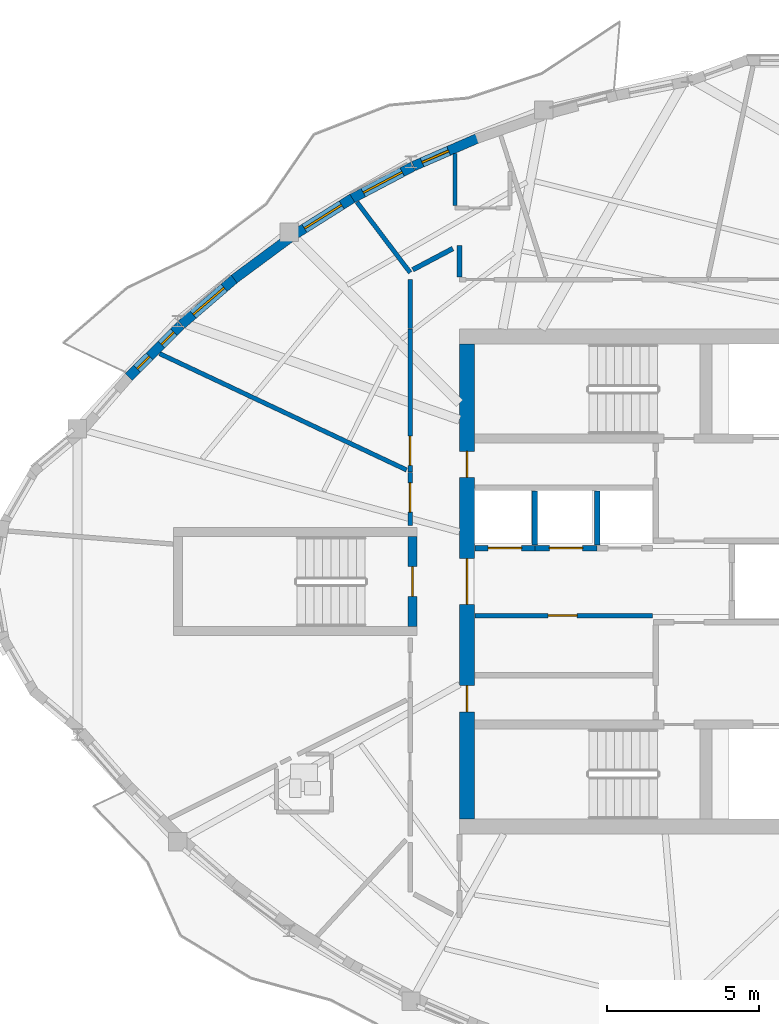
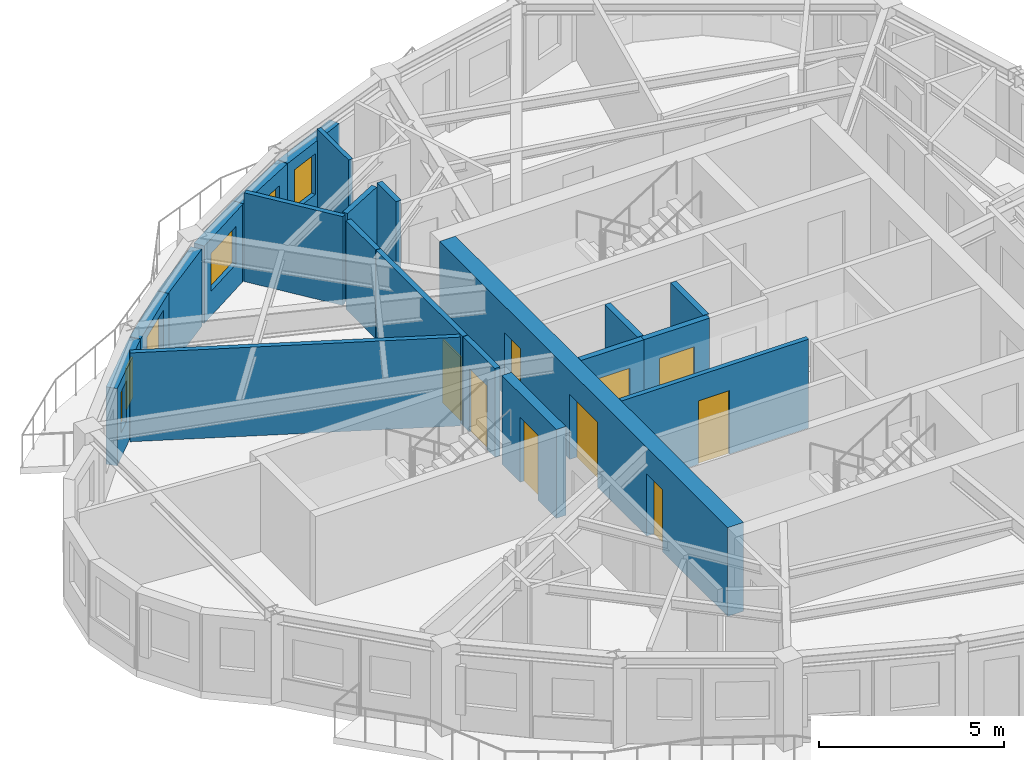
# One storey, part 5 of 12: 21 walls, 9 doors, 6 windows, 15 openings.
"""IFC4 building model written with IfcOpenShell, lengths in metres."""

from ifc_helpers import new_model, si_unit, direction, frame, frame_2d, origin, place, context, subcontext, project, spatial, rectangle, extrude, source, transform, mapped, material, layer, layer_set, type_object, element, fill, save


model = new_model("IFC4")

# Units and contexts
model_context = context("Model", 3, precision=1e-05, world=origin(), true_north=direction((0.0, 1.0)))
body_context = subcontext(model_context, "Body", "Model", "MODEL_VIEW")
ifc_project = project(units=[si_unit("LENGTHUNIT", "METRE"), si_unit("AREAUNIT", "SQUARE_METRE"), si_unit("VOLUMEUNIT", "CUBIC_METRE"), si_unit("PLANEANGLEUNIT", "RADIAN"), si_unit("MASSUNIT", "GRAM", prefix="KILO")], contexts=[model_context])

# Site, building, storey
site_placement = place(None, origin())
site = spatial("IfcSite", under=ifc_project, at=site_placement, CompositionType="ELEMENT")
building_placement = place(site_placement, origin())
building = spatial("IfcBuilding", under=site, at=building_placement, Name="Qafzar Sky-Pleat Residences", CompositionType="ELEMENT")
storey_placement = place(building_placement, frame((0.0, 0.0, 202.0)))
storey = spatial("IfcBuildingStorey", under=building, at=storey_placement, Name="L60", CompositionType="ELEMENT", Elevation=202.0)

# Wall, opening, door
ifc_material_1 = material(Name="Acoustic gypsum plasterboard partition", Category="gypsum")
ifc_layer_1 = layer(ifc_material_1, 0.159912109375)
ifc_layer_set_1 = layer_set([ifc_layer_1], Name="Acoustic gypsum plasterboard partition")
wall_type_1 = type_object("IfcWallType", Name="PART-COR-160", PredefinedType="PARTITIONING", material=ifc_layer_set_1)
wall_1_placement = place(storey_placement, frame((22.679931640625, 29.595947265625, 0.0), z_axis=(0.0, 0.0, 1.0), x_axis=(0.0, 1.0, 0.0)))
wall_1 = element("IfcWall", 1, at=wall_1_placement, inside=storey, type_object=wall_type_1, Name="L60 Partition Wall PART-L60-PW-002", PredefinedType="PARTITIONING", context=body_context, shape_type="SweptSolid", body=[
    extrude(rectangle(XDim=4.7041015625, YDim=0.159912109375, at=frame_2d((2.35205078125, 0.0))), origin(), (0.0, 0.0, 1.0), 2.93505859375),
])
opening_1_placement = place(wall_1_placement, frame((0.219970703125, 0.0, 0.0)))
opening_1 = element("IfcOpeningElement", 2, at=opening_1_placement, cuts=wall_1, Name="Opening ID-06", PredefinedType="OPENING", context=body_context, shape_type="SweptSolid", body=[
    extrude(rectangle(XDim=0.9599609375, YDim=2.10009765625, at=frame_2d((0.47998046875, 1.050048828125))), frame((0.0, 0.08984375, 0.0), z_axis=(0.0, -1.0, 0.0), x_axis=(1.0, 0.0, 0.0)), (0.0, 0.0, 1.0), 0.179931640625),
])
ifc_material_2 = material(Name="Timber-faced fire door", Category="wood")
door_type_1 = type_object("IfcDoorType", Name="DR-STD-960", OperationType="NOTDEFINED", PredefinedType="DOOR", material=ifc_material_2)
shared_shape_1 = source(origin(), body_context, "Body", "SweptSolid", [
    extrude(rectangle(XDim=0.9599609375, YDim=2.10009765625, at=frame_2d((0.47998046875, 1.050048828125))), frame((0.0, 0.02490234375, 0.0), z_axis=(0.0, -1.0, 0.0), x_axis=(1.0, 0.0, 0.0)), (0.0, 0.0, 1.0), 0.050048828125),
])
door_1_placement = place(opening_1_placement, origin())
door_1 = element("IfcDoor", 3, at=door_1_placement, inside=storey, type_object=door_type_1, Name="L60 Quiet Prayer Room Door", OperationType="SINGLE_SWING_LEFT", OverallHeight=2.10009765625, OverallWidth=0.9599609375, PredefinedType="DOOR", context=body_context, shape_type="MappedRepresentation", body=[
    mapped(shared_shape_1, transform((0.0, 0.0, 0.0), x_axis=(1.0, 0.0, 0.0), y_axis=(0.0, 1.0, 0.0), z_axis=(0.0, 0.0, 1.0), scale=1.0)),
])
fill(opening_1, door_1)

wall_2_placement = place(storey_placement, frame((22.679931640625, 27.85009765625, 0.0), z_axis=(0.0, 0.0, 1.0), x_axis=(0.0, 1.0, 0.0)))
wall_2 = element("IfcWall", 4, at=wall_2_placement, inside=storey, type_object=wall_type_1, Name="L60 Partition Wall PART-L60-PW-015", PredefinedType="PARTITIONING", context=body_context, shape_type="SweptSolid", body=[
    extrude(rectangle(XDim=1.73095703125, YDim=0.159912109375, at=frame_2d((0.865478515625, 0.0))), origin(), (0.0, 0.0, 1.0), 2.93505859375),
])
opening_2_placement = place(wall_2_placement, frame((0.430419921875, 0.0, 0.0)))
opening_2 = element("IfcOpeningElement", 5, at=opening_2_placement, cuts=wall_2, Name="Opening ID-06", PredefinedType="OPENING", context=body_context, shape_type="SweptSolid", body=[
    extrude(rectangle(XDim=0.9599609375, YDim=2.10009765625, at=frame_2d((0.47998046875, 1.050048828125))), frame((0.0, 0.08984375, 0.0), z_axis=(0.0, -1.0, 0.0), x_axis=(1.0, 0.0, 0.0)), (0.0, 0.0, 1.0), 0.179931640625),
])
door_2_placement = place(opening_2_placement, origin())
door_2 = element("IfcDoor", 6, at=door_2_placement, inside=storey, type_object=door_type_1, Name="L60 Media Screening Room Door", OperationType="SINGLE_SWING_RIGHT", OverallHeight=2.10009765625, OverallWidth=0.9599609375, PredefinedType="DOOR", context=body_context, shape_type="MappedRepresentation", body=[
    mapped(shared_shape_1, transform((0.0, 0.0, 0.0), x_axis=(1.0, 0.0, 0.0), y_axis=(0.0, 1.0, 0.0), z_axis=(0.0, 0.0, 1.0), scale=1.0)),
])
fill(opening_2, door_2)

# Walls
wall_3_placement = place(storey_placement, frame((22.679931640625, 34.31494140625, 0.0), z_axis=(0.0, 0.0, 1.0), x_axis=(0.0, 1.0, 0.0)))
element("IfcWall", 7, at=wall_3_placement, inside=storey, type_object=wall_type_1, Name="L60 Partition Wall PART-L60-PW-038", PredefinedType="PARTITIONING", context=body_context, shape_type="SweptSolid", body=[
    extrude(rectangle(XDim=1.60498046875, YDim=0.159912109375, at=frame_2d((0.802490234375, 0.0))), origin(), (0.0, 0.0, 1.0), 2.93505859375),
])
wall_4_placement = place(storey_placement, frame((22.763671875, 36.248046875, 0.0), z_axis=(0.0, 0.0, 1.0), x_axis=(0.884318813942, 0.466883535059, 0.0)))
element("IfcWall", 8, at=wall_4_placement, inside=storey, type_object=wall_type_1, Name="L60 Partition Wall PART-L60-PW-041", PredefinedType="PARTITIONING", context=body_context, shape_type="SweptSolid", body=[
    extrude(rectangle(XDim=1.486083984375, YDim=0.159912109375, at=frame_2d((0.7431640625, 0.0))), origin(), (0.0, 0.0, 1.0), 2.93505859375),
])
wall_5_placement = place(storey_placement, frame((24.300048828125, 36.008056640625, 0.0), z_axis=(0.0, 0.0, 1.0), x_axis=(0.0, 1.0, 0.0)))
element("IfcWall", 9, at=wall_5_placement, inside=storey, type_object=wall_type_1, Name="L60 Partition Wall PART-L60-PW-047", PredefinedType="PARTITIONING", context=body_context, shape_type="SweptSolid", body=[
    extrude(rectangle(XDim=1.031005859375, YDim=0.159912109375, at=frame_2d((0.515625, 0.0))), origin(), (0.0, 0.0, 1.0), 2.93505859375),
])

# Wall, opening, door
ifc_material_3 = material(Name="Concrete blockwork partition", Category="masonry")
ifc_layer_2 = layer(ifc_material_3, 0.179931640625)
ifc_layer_set_2 = layer_set([ifc_layer_2], Name="Concrete blockwork partition")
wall_type_2 = type_object("IfcWallType", Name="PART-SHAFT-180", PredefinedType="PARTITIONING", material=ifc_layer_set_2)
wall_6_placement = place(storey_placement, frame((24.81005859375, 27.10009765625, 0.0), z_axis=(0.0, 0.0, 1.0), x_axis=(1.0, 0.0, 0.0)))
wall_6 = element("IfcWall", 10, at=wall_6_placement, inside=storey, type_object=wall_type_2, Name="L60 Partition Wall PART-L60-P4-S", PredefinedType="PARTITIONING", context=body_context, shape_type="SweptSolid", body=[
    extrude(rectangle(XDim=1.96484375, YDim=0.179931640625, at=frame_2d((0.982421875, 0.0))), origin(), (0.0, 0.0, 1.0), 2.93505859375),
])
opening_3_placement = place(wall_6_placement, frame((0.4326171875, 0.0, 0.0)))
opening_3 = element("IfcOpeningElement", 11, at=opening_3_placement, cuts=wall_6, Name="Opening LD-01", PredefinedType="OPENING", context=body_context, shape_type="SweptSolid", body=[
    extrude(rectangle(XDim=1.10009765625, YDim=2.14990234375, at=frame_2d((0.550048828125, 1.074951171875))), frame((0.0, 0.10009765625, 0.0), z_axis=(0.0, -1.0, 0.0), x_axis=(1.0, 0.0, 0.0)), (0.0, 0.0, 1.0), 0.199951171875),
])
ifc_material_4 = material(Name="Stainless steel sliding landing door", Category="steel")
door_type_2 = type_object("IfcDoorType", Name="DR-LIFT-P", OperationType="DOUBLE_DOOR_SLIDING", PredefinedType="DOOR", material=ifc_material_4)
shared_shape_2 = source(origin(), body_context, "Body", "SweptSolid", [
    extrude(rectangle(XDim=1.10009765625, YDim=2.14990234375, at=frame_2d((0.550048828125, 1.074951171875))), frame((0.0, 0.02490234375, 0.0), z_axis=(0.0, -1.0, 0.0), x_axis=(1.0, 0.0, 0.0)), (0.0, 0.0, 1.0), 0.050048828125),
])
door_3_placement = place(opening_3_placement, origin())
door_3 = element("IfcDoor", 12, at=door_3_placement, inside=storey, type_object=door_type_2, Name="L60 Passenger Lift P4 Landing Door", OperationType="DOUBLE_DOOR_SLIDING", OverallHeight=2.14990234375, OverallWidth=1.10009765625, PredefinedType="DOOR", context=body_context, shape_type="MappedRepresentation", body=[
    mapped(shared_shape_2, transform((0.0, 0.0, 0.0), x_axis=(1.0, 0.0, 0.0), y_axis=(0.0, 1.0, 0.0), z_axis=(0.0, 0.0, 1.0), scale=1.0)),
])
fill(opening_3, door_3)

wall_7_placement = place(storey_placement, frame((26.77490234375, 27.10009765625, 0.0), z_axis=(0.0, 0.0, 1.0), x_axis=(1.0, 0.0, 0.0)))
wall_7 = element("IfcWall", 13, at=wall_7_placement, inside=storey, type_object=wall_type_2, Name="L60 Partition Wall PART-L60-P5-S", PredefinedType="PARTITIONING", context=body_context, shape_type="SweptSolid", body=[
    extrude(rectangle(XDim=2.050048828125, YDim=0.179931640625, at=frame_2d((1.02490234375, 0.0))), origin(), (0.0, 0.0, 1.0), 2.93505859375),
])
opening_4_placement = place(wall_7_placement, frame((0.47509765625, 0.0, 0.0)))
opening_4 = element("IfcOpeningElement", 14, at=opening_4_placement, cuts=wall_7, Name="Opening LD-01", PredefinedType="OPENING", context=body_context, shape_type="SweptSolid", body=[
    extrude(rectangle(XDim=1.10009765625, YDim=2.14990234375, at=frame_2d((0.550048828125, 1.074951171875))), frame((0.0, 0.10009765625, 0.0), z_axis=(0.0, -1.0, 0.0), x_axis=(1.0, 0.0, 0.0)), (0.0, 0.0, 1.0), 0.199951171875),
])
door_4_placement = place(opening_4_placement, origin())
door_4 = element("IfcDoor", 15, at=door_4_placement, inside=storey, type_object=door_type_2, Name="L60 Passenger Lift P5 Landing Door", OperationType="DOUBLE_DOOR_SLIDING", OverallHeight=2.14990234375, OverallWidth=1.10009765625, PredefinedType="DOOR", context=body_context, shape_type="MappedRepresentation", body=[
    mapped(shared_shape_2, transform((0.0, 0.0, 0.0), x_axis=(1.0, 0.0, 0.0), y_axis=(0.0, 1.0, 0.0), z_axis=(0.0, 0.0, 1.0), scale=1.0)),
])
fill(opening_4, door_4)

# Walls
for number, where, z_axis, x_axis, name in (
    (16, (26.77490234375, 27.199951171875, 0.0), (0.0, 0.0, 1.0), (0.0, 1.0, 0.0), "L60 Partition Wall PART-L60-P46-DIV-1"),
    (17, (28.824951171875, 27.199951171875, 0.0), (0.0, 0.0, 1.0), (0.0, 1.0, 0.0), "L60 Partition Wall PART-L60-P46-DIV-2"),
):
    element("IfcWall", number, at=place(storey_placement, frame(where, z_axis=z_axis, x_axis=x_axis)), inside=storey, type_object=wall_type_2, Name=name, PredefinedType="PARTITIONING", context=body_context, shape_type="SweptSolid", body=[
        extrude(rectangle(XDim=1.780029296875, YDim=0.179931640625, at=frame_2d((0.89013671875, 0.0))), origin(), (0.0, 0.0, 1.0), 2.93505859375),
    ])

# Wall, opening, door
ifc_layer_3 = layer(ifc_material_1, 0.14501953125)
ifc_layer_set_3 = layer_set([ifc_layer_3], Name="Acoustic gypsum plasterboard partition")
wall_type_3 = type_object("IfcWallType", Name="PART-UNIT-145", PredefinedType="PARTITIONING", material=ifc_layer_set_3)
wall_8_placement = place(storey_placement, frame((24.81005859375, 24.8798828125, 0.0), z_axis=(0.0, 0.0, 1.0), x_axis=(1.0, 0.0, 0.0)))
wall_8 = element("IfcWall", 18, at=wall_8_placement, inside=storey, type_object=wall_type_3, Name="L60 Partition Wall PART-L60-RECLAIM-N", PredefinedType="PARTITIONING", context=body_context, shape_type="SweptSolid", body=[
    extrude(rectangle(XDim=5.83984375, YDim=0.14501953125, at=frame_2d((2.919921875, 0.0))), origin(), (0.0, 0.0, 1.0), 2.93505859375),
])
opening_5_placement = place(wall_8_placement, frame((2.39990234375, 0.0, 0.0)))
opening_5 = element("IfcOpeningElement", 19, at=opening_5_placement, cuts=wall_8, Name="Opening ID-06", PredefinedType="OPENING", context=body_context, shape_type="SweptSolid", body=[
    extrude(rectangle(XDim=0.9599609375, YDim=2.10009765625, at=frame_2d((0.47998046875, 1.050048828125))), frame((0.0, 0.08251953125, 0.0), z_axis=(0.0, -1.0, 0.0), x_axis=(1.0, 0.0, 0.0)), (0.0, 0.0, 1.0), 0.1650390625),
])
door_5_placement = place(opening_5_placement, origin())
door_5 = element("IfcDoor", 20, at=door_5_placement, inside=storey, type_object=door_type_1, Name="L60 Reclaimed Resident Laundry Room Door", OperationType="SINGLE_SWING_LEFT", OverallHeight=2.10009765625, OverallWidth=0.9599609375, PredefinedType="DOOR", context=body_context, shape_type="MappedRepresentation", body=[
    mapped(shared_shape_1, transform((0.0, 0.0, 0.0), x_axis=(1.0, 0.0, 0.0), y_axis=(0.0, 1.0, 0.0), z_axis=(0.0, 0.0, 1.0), scale=1.0)),
])
fill(opening_5, door_5)

# Walls
wall_9_placement = place(storey_placement, frame((14.4453125, 33.490478515625, 0.0), z_axis=(0.0, 0.0, 1.0), x_axis=(0.904673727325, -0.426104971912, 0.0)))
element("IfcWall", 21, at=wall_9_placement, inside=storey, type_object=wall_type_3, Name="L60 Partition Wall PART-L60-PW-017", PredefinedType="PARTITIONING", context=body_context, shape_type="SweptSolid", body=[
    extrude(rectangle(XDim=8.971923828125, YDim=0.14501953125, at=frame_2d((4.48583984375, 0.0))), origin(), (0.0, 0.0, 1.0), 2.93505859375),
])
wall_10_placement = place(storey_placement, frame((20.928955078125, 38.469482421875, 0.0), z_axis=(0.0, 0.0, 1.0), x_axis=(0.602847358209, -0.797856542682, 0.0)))
element("IfcWall", 22, at=wall_10_placement, inside=storey, type_object=wall_type_3, Name="L60 Partition Wall PART-L60-PW-029", PredefinedType="PARTITIONING", context=body_context, shape_type="SweptSolid", body=[
    extrude(rectangle(XDim=2.904541015625, YDim=0.14501953125, at=frame_2d((1.4521484375, 0.0))), origin(), (0.0, 0.0, 1.0), 2.93505859375),
])
ifc_material_5 = material(Name="Moisture-resistant gypsum partition", Category="gypsum")
ifc_layer_4 = layer(ifc_material_5, 0.1298828125)
ifc_layer_set_4 = layer_set([ifc_layer_4], Name="Moisture-resistant gypsum partition")
wall_type_4 = type_object("IfcWallType", Name="PART-WET-130", PredefinedType="PARTITIONING", material=ifc_layer_set_4)
wall_11_placement = place(storey_placement, frame((24.154052734375, 38.35498046875, 0.0), z_axis=(0.0, 0.0, 1.0), x_axis=(0.0, 1.0, 0.0)))
element("IfcWall", 23, at=wall_11_placement, inside=storey, type_object=wall_type_4, Name="L60 Partition Wall PART-L60-PW-031", PredefinedType="PARTITIONING", context=body_context, shape_type="SweptSolid", body=[
    extrude(rectangle(XDim=1.705078125, YDim=0.1298828125, at=frame_2d((0.8525390625, 0.0))), origin(), (0.0, 0.0, 1.0), 2.93505859375),
])

# Wall, opening, window
ifc_material_6 = material(Name="Precast concrete C40/50 with honed Riyadh limestone", Category="concrete")
ifc_layer_5 = layer(ifc_material_6, 0.320068359375)
ifc_layer_set_5 = layer_set([ifc_layer_5], Name="Precast concrete C40/50 with honed Riyadh limestone")
wall_type_5 = type_object("IfcWallType", Name="WALL-EXT-320", PredefinedType="SOLIDWALL", material=ifc_layer_set_5)
wall_12_placement = place(storey_placement, frame((24.943359375, 40.589599609375, 0.0), z_axis=(0.0, 0.0, 1.0), x_axis=(-0.917071710038, -0.398722307688, 0.0)))
wall_12 = element("IfcWall", 24, at=wall_12_placement, inside=storey, type_object=wall_type_5, Name="L60 Limestone Facade Wall 42", PredefinedType="SOLIDWALL", context=body_context, shape_type="SweptSolid", body=[
    extrude(rectangle(XDim=2.346923828125, YDim=0.320068359375, at=frame_2d((1.17333984375, 0.0))), origin(), (0.0, 0.0, 1.0), 2.554931640625),
])
opening_6_placement = place(wall_12_placement, frame((1.09130859375, 0.0, 0.820068359375)))
opening_6 = element("IfcOpeningElement", 25, at=opening_6_placement, cuts=wall_12, Name="Opening WN-12", PredefinedType="OPENING", context=body_context, shape_type="SweptSolid", body=[
    extrude(rectangle(XDim=0.949951171875, YDim=1.35009765625, at=frame_2d((0.47509765625, 0.675048828125))), frame((0.0, 0.169921875, 0.0), z_axis=(0.0, -1.0, 0.0), x_axis=(1.0, 0.0, 0.0)), (0.0, 0.0, 1.0), 0.340087890625),
])
ifc_material_7 = material(Name="Solar-control low-E glass in bronze aluminium frame", Category="glass")
window_type_1 = type_object("IfcWindowType", Name="WIN-12", PartitioningType="SINGLE_PANEL", PredefinedType="WINDOW", material=ifc_material_7)
shared_shape_3 = source(origin(), body_context, "Body", "SweptSolid", [
    extrude(rectangle(XDim=0.949951171875, YDim=1.35009765625, at=frame_2d((0.47509765625, 0.675048828125))), frame((0.0, 0.030029296875, 0.0), z_axis=(0.0, -1.0, 0.0), x_axis=(1.0, 0.0, 0.0)), (0.0, 0.0, 1.0), 0.06005859375),
])
window_1_placement = place(opening_6_placement, origin())
window_1 = element("IfcWindow", 26, at=window_1_placement, inside=storey, type_object=window_type_1, Name="L60 Punched Facade Window 42-2", OverallHeight=1.35009765625, OverallWidth=0.949951171875, PartitioningType="SINGLE_PANEL", PredefinedType="WINDOW", context=body_context, shape_type="MappedRepresentation", body=[
    mapped(shared_shape_3, transform((0.0, 0.0, 0.0), x_axis=(1.0, 0.0, 0.0), y_axis=(0.0, 1.0, 0.0), z_axis=(0.0, 0.0, 1.0), scale=1.0)),
])
fill(opening_6, window_1)

wall_13_placement = place(storey_placement, frame((22.765869140625, 39.641845703125, 0.0), z_axis=(0.0, 0.0, 1.0), x_axis=(-0.884377555637, -0.466772256122, 0.0)))
wall_13 = element("IfcWall", 27, at=wall_13_placement, inside=storey, type_object=wall_type_5, Name="L60 Limestone Facade Wall 43", PredefinedType="SOLIDWALL", context=body_context, shape_type="SweptSolid", body=[
    extrude(rectangle(XDim=2.333740234375, YDim=0.320068359375, at=frame_2d((1.1669921875, 0.0))), origin(), (0.0, 0.0, 1.0), 2.554931640625),
])
opening_7_placement = place(wall_13_placement, frame((0.393310546875, 0.0, 0.820068359375)))
opening_7 = element("IfcOpeningElement", 28, at=opening_7_placement, cuts=wall_13, Name="Opening WN-15", PredefinedType="OPENING", context=body_context, shape_type="SweptSolid", body=[
    extrude(rectangle(XDim=1.449951171875, YDim=1.25, at=frame_2d((0.72509765625, 0.625))), frame((0.0, 0.169921875, 0.0), z_axis=(0.0, -1.0, 0.0), x_axis=(1.0, 0.0, 0.0)), (0.0, 0.0, 1.0), 0.340087890625),
])
window_type_2 = type_object("IfcWindowType", Name="WIN-15", PartitioningType="SINGLE_PANEL", PredefinedType="WINDOW", material=ifc_material_7)
shared_shape_4 = source(origin(), body_context, "Body", "SweptSolid", [
    extrude(rectangle(XDim=1.449951171875, YDim=1.25, at=frame_2d((0.72509765625, 0.625))), frame((0.0, 0.030029296875, 0.0), z_axis=(0.0, -1.0, 0.0), x_axis=(1.0, 0.0, 0.0)), (0.0, 0.0, 1.0), 0.06005859375),
])
window_2_placement = place(opening_7_placement, origin())
window_2 = element("IfcWindow", 29, at=window_2_placement, inside=storey, type_object=window_type_2, Name="L60 Punched Facade Window 43", OverallHeight=1.25, OverallWidth=1.449951171875, PartitioningType="SINGLE_PANEL", PredefinedType="WINDOW", context=body_context, shape_type="MappedRepresentation", body=[
    mapped(shared_shape_4, transform((0.0, 0.0, 0.0), x_axis=(1.0, 0.0, 0.0), y_axis=(0.0, 1.0, 0.0), z_axis=(0.0, 0.0, 1.0), scale=1.0)),
])
fill(opening_7, window_2)

wall_14_placement = place(storey_placement, frame((20.7783203125, 38.5966796875, 0.0), z_axis=(0.0, 0.0, 1.0), x_axis=(-0.84639489148, -0.532555807101, 0.0)))
wall_14 = element("IfcWall", 30, at=wall_14_placement, inside=storey, type_object=wall_type_5, Name="L60 Limestone Facade Wall 44", PredefinedType="SOLIDWALL", context=body_context, shape_type="SweptSolid", body=[
    extrude(rectangle(XDim=2.263671875, YDim=0.320068359375, at=frame_2d((1.1318359375, 0.0))), origin(), (0.0, 0.0, 1.0), 2.554931640625),
])
opening_8_placement = place(wall_14_placement, frame((0.411865234375, 0.0, 0.820068359375)))
opening_8 = element("IfcOpeningElement", 31, at=opening_8_placement, cuts=wall_14, Name="Opening WN-15", PredefinedType="OPENING", context=body_context, shape_type="SweptSolid", body=[
    extrude(rectangle(XDim=1.449951171875, YDim=1.25, at=frame_2d((0.72509765625, 0.625))), frame((0.0, 0.169921875, 0.0), z_axis=(0.0, -1.0, 0.0), x_axis=(1.0, 0.0, 0.0)), (0.0, 0.0, 1.0), 0.340087890625),
])
window_3_placement = place(opening_8_placement, origin())
window_3 = element("IfcWindow", 32, at=window_3_placement, inside=storey, type_object=window_type_2, Name="L60 Punched Facade Window 44", OverallHeight=1.25, OverallWidth=1.449951171875, PartitioningType="SINGLE_PANEL", PredefinedType="WINDOW", context=body_context, shape_type="MappedRepresentation", body=[
    mapped(shared_shape_4, transform((0.0, 0.0, 0.0), x_axis=(1.0, 0.0, 0.0), y_axis=(0.0, 1.0, 0.0), z_axis=(0.0, 0.0, 1.0), scale=1.0)),
])
fill(opening_8, window_3)

# Wall
wall_15_placement = place(storey_placement, frame((18.7236328125, 37.29638671875, 0.0), z_axis=(0.0, 0.0, 1.0), x_axis=(-0.803830620004, -0.59485824727, 0.0)))
element("IfcWall", 33, at=wall_15_placement, inside=storey, type_object=wall_type_5, Name="L60 Limestone Facade Wall 45", PredefinedType="SOLIDWALL", context=body_context, shape_type="SweptSolid", body=[
    extrude(rectangle(XDim=2.277099609375, YDim=0.320068359375, at=frame_2d((1.138671875, 0.0))), origin(), (0.0, 0.0, 1.0), 2.554931640625),
])

# Wall, opening, window
wall_16_placement = place(storey_placement, frame((16.9619140625, 35.996826171875, 0.0), z_axis=(0.0, 0.0, 1.0), x_axis=(-0.757474860475, -0.652864331808, 0.0)))
wall_16 = element("IfcWall", 34, at=wall_16_placement, inside=storey, type_object=wall_type_5, Name="L60 Limestone Facade Wall 46", PredefinedType="SOLIDWALL", context=body_context, shape_type="SweptSolid", body=[
    extrude(rectangle(XDim=2.37353515625, YDim=0.320068359375, at=frame_2d((1.186767578125, 0.0))), origin(), (0.0, 0.0, 1.0), 2.554931640625),
])
opening_9_placement = place(wall_16_placement, frame((0.521728515625, 0.0, 0.820068359375)))
opening_9 = element("IfcOpeningElement", 35, at=opening_9_placement, cuts=wall_16, Name="Opening WN-04", PredefinedType="OPENING", context=body_context, shape_type="SweptSolid", body=[
    extrude(rectangle(XDim=1.35009765625, YDim=1.449951171875, at=frame_2d((0.675048828125, 0.72509765625))), frame((0.0, 0.169921875, 0.0), z_axis=(0.0, -1.0, 0.0), x_axis=(1.0, 0.0, 0.0)), (0.0, 0.0, 1.0), 0.340087890625),
])
window_type_3 = type_object("IfcWindowType", Name="WIN-04", PartitioningType="SINGLE_PANEL", PredefinedType="WINDOW", material=ifc_material_7)
shared_shape_5 = source(origin(), body_context, "Body", "SweptSolid", [
    extrude(rectangle(XDim=1.35009765625, YDim=1.449951171875, at=frame_2d((0.675048828125, 0.72509765625))), frame((0.0, 0.030029296875, 0.0), z_axis=(0.0, -1.0, 0.0), x_axis=(1.0, 0.0, 0.0)), (0.0, 0.0, 1.0), 0.06005859375),
])
window_4_placement = place(opening_9_placement, origin())
window_4 = element("IfcWindow", 36, at=window_4_placement, inside=storey, type_object=window_type_3, Name="L60 Punched Facade Window 46", OverallHeight=1.449951171875, OverallWidth=1.35009765625, PartitioningType="SINGLE_PANEL", PredefinedType="WINDOW", context=body_context, shape_type="MappedRepresentation", body=[
    mapped(shared_shape_5, transform((0.0, 0.0, 0.0), x_axis=(1.0, 0.0, 0.0), y_axis=(0.0, 1.0, 0.0), z_axis=(0.0, 0.0, 1.0), scale=1.0)),
])
fill(opening_9, window_4)

# Wall, openings, windows
wall_17_placement = place(storey_placement, frame((15.143310546875, 34.427978515625, 0.0), z_axis=(0.0, 0.0, 1.0), x_axis=(-0.708370597245, -0.705840702255, 0.0)))
wall_17 = element("IfcWall", 37, at=wall_17_placement, inside=storey, type_object=wall_type_5, Name="L60 Limestone Facade Wall 47", PredefinedType="SOLIDWALL", context=body_context, shape_type="SweptSolid", body=[
    extrude(rectangle(XDim=2.41259765625, YDim=0.320068359375, at=frame_2d((1.206298828125, 0.0))), origin(), (0.0, 0.0, 1.0), 2.554931640625),
])
opening_10_placement = place(wall_17_placement, frame((0.322021484375, 0.0, 0.820068359375)))
opening_10 = element("IfcOpeningElement", 38, at=opening_10_placement, cuts=wall_17, Name="Opening WN-17", PredefinedType="OPENING", context=body_context, shape_type="SweptSolid", body=[
    extrude(rectangle(XDim=0.580078125, YDim=1.35009765625, at=frame_2d((0.2900390625, 0.675048828125))), frame((0.0, 0.169921875, 0.0), z_axis=(0.0, -1.0, 0.0), x_axis=(1.0, 0.0, 0.0)), (0.0, 0.0, 1.0), 0.340087890625),
])
opening_11_placement = place(wall_17_placement, frame((1.458251953125, 0.0, 0.820068359375)))
opening_11 = element("IfcOpeningElement", 39, at=opening_11_placement, cuts=wall_17, Name="Opening WN-17", PredefinedType="OPENING", context=body_context, shape_type="SweptSolid", body=[
    extrude(rectangle(XDim=0.580078125, YDim=1.35009765625, at=frame_2d((0.2900390625, 0.675048828125))), frame((0.0, 0.169921875, 0.0), z_axis=(0.0, -1.0, 0.0), x_axis=(1.0, 0.0, 0.0)), (0.0, 0.0, 1.0), 0.340087890625),
])
window_type_4 = type_object("IfcWindowType", Name="WIN-17", PartitioningType="SINGLE_PANEL", PredefinedType="WINDOW", material=ifc_material_7)
shared_shape_6 = source(origin(), body_context, "Body", "SweptSolid", [
    extrude(rectangle(XDim=0.580078125, YDim=1.35009765625, at=frame_2d((0.2900390625, 0.675048828125))), frame((0.0, 0.030029296875, 0.0), z_axis=(0.0, -1.0, 0.0), x_axis=(1.0, 0.0, 0.0)), (0.0, 0.0, 1.0), 0.06005859375),
])
window_5_placement = place(opening_10_placement, origin())
window_5 = element("IfcWindow", 40, at=window_5_placement, inside=storey, type_object=window_type_4, Name="L60 Punched Facade Window 47", OverallHeight=1.35009765625, OverallWidth=0.580078125, PartitioningType="SINGLE_PANEL", PredefinedType="WINDOW", context=body_context, shape_type="MappedRepresentation", body=[
    mapped(shared_shape_6, transform((0.0, 0.0, 0.0), x_axis=(1.0, 0.0, 0.0), y_axis=(0.0, 1.0, 0.0), z_axis=(0.0, 0.0, 1.0), scale=1.0)),
])
fill(opening_10, window_5)
window_6_placement = place(opening_11_placement, origin())
window_6 = element("IfcWindow", 41, at=window_6_placement, inside=storey, type_object=window_type_4, Name="L60 Punched Facade Window 47-2", OverallHeight=1.35009765625, OverallWidth=0.580078125, PartitioningType="SINGLE_PANEL", PredefinedType="WINDOW", context=body_context, shape_type="MappedRepresentation", body=[
    mapped(shared_shape_6, transform((0.0, 0.0, 0.0), x_axis=(1.0, 0.0, 0.0), y_axis=(0.0, 1.0, 0.0), z_axis=(0.0, 0.0, 1.0), scale=1.0)),
])
fill(opening_11, window_6)

# Wall, opening, door
ifc_material_8 = material(Name="Concrete C60/75", Category="concrete")
ifc_layer_6 = layer(ifc_material_8, 0.300048828125)
ifc_layer_set_6 = layer_set([ifc_layer_6], Name="Concrete C60/75")
wall_type_6 = type_object("IfcWallType", Name="WALL-SHEAR-300", PredefinedType="SHEAR", material=ifc_layer_set_6)
wall_18_placement = place(storey_placement, frame((22.75, 24.52490234375, 0.0), z_axis=(0.0, 0.0, 1.0), x_axis=(0.0, 1.0, 0.0)))
wall_18 = element("IfcWall", 42, at=wall_18_placement, inside=storey, type_object=wall_type_6, Name="L60 ST3 wall E", PredefinedType="SHEAR", context=body_context, shape_type="SweptSolid", body=[
    extrude(rectangle(XDim=2.9501953125, YDim=0.300048828125, at=frame_2d((1.47509765625, 0.0))), origin(), (0.0, 0.0, 1.0), 2.93505859375),
])
opening_12_placement = place(wall_18_placement, frame((0.985107421875, 0.0, 0.0)))
opening_12 = element("IfcOpeningElement", 43, at=opening_12_placement, cuts=wall_18, Name="Opening ID-01", PredefinedType="OPENING", context=body_context, shape_type="SweptSolid", body=[
    extrude(rectangle(XDim=0.97998046875, YDim=2.14990234375, at=frame_2d((0.489990234375, 1.074951171875))), frame((0.0, 0.16015625, 0.0), z_axis=(0.0, -1.0, 0.0), x_axis=(1.0, 0.0, 0.0)), (0.0, 0.0, 1.0), 0.320068359375),
])
door_type_3 = type_object("IfcDoorType", Name="DR-STAIR-980", OperationType="NOTDEFINED", PredefinedType="DOOR", material=ifc_material_2)
shared_shape_7 = source(origin(), body_context, "Body", "SweptSolid", [
    extrude(rectangle(XDim=0.97998046875, YDim=2.14990234375, at=frame_2d((0.489990234375, 1.074951171875))), frame((0.0, 0.02490234375, 0.0), z_axis=(0.0, -1.0, 0.0), x_axis=(1.0, 0.0, 0.0)), (0.0, 0.0, 1.0), 0.050048828125),
])
door_6_placement = place(opening_12_placement, origin())
door_6 = element("IfcDoor", 44, at=door_6_placement, inside=storey, type_object=door_type_3, Name="L60 Stair ST3 Fire Door", OperationType="SINGLE_SWING_RIGHT", OverallHeight=2.14990234375, OverallWidth=0.97998046875, PredefinedType="DOOR", context=body_context, shape_type="MappedRepresentation", body=[
    mapped(shared_shape_7, transform((0.0, 0.0, 0.0), x_axis=(1.0, 0.0, 0.0), y_axis=(0.0, 1.0, 0.0), z_axis=(0.0, 0.0, 1.0), scale=1.0)),
])
fill(opening_12, door_6)

# Wall, openings, doors
ifc_layer_7 = layer(ifc_material_8, 0.5)
ifc_layer_set_7 = layer_set([ifc_layer_7], Name="Concrete C60/75")
wall_type_7 = type_object("IfcWallType", Name="WALL-SHEAR-500", PredefinedType="SHEAR", material=ifc_layer_set_7)
wall_19_placement = place(storey_placement, frame((24.550048828125, 33.800048828125, 0.0), z_axis=(0.0, 0.0, 1.0), x_axis=(0.0, -1.0, 0.0)))
wall_19 = element("IfcWall", 45, at=wall_19_placement, inside=storey, type_object=wall_type_7, Name="L60 CORE wall W", PredefinedType="SHEAR", context=body_context, shape_type="SweptSolid", body=[
    extrude(rectangle(XDim=15.60009765625, YDim=0.5, at=frame_2d((7.800048828125, 0.0))), origin(), (0.0, 0.0, 1.0), 2.93505859375),
])
opening_13_placement = place(wall_19_placement, frame((7.050048828125, 0.0, 0.0)))
opening_13 = element("IfcOpeningElement", 46, at=opening_13_placement, cuts=wall_19, Name="Opening ID-03", PredefinedType="OPENING", context=body_context, shape_type="SweptSolid", body=[
    extrude(rectangle(XDim=1.5, YDim=2.14990234375, at=frame_2d((0.75, 1.074951171875))), frame((0.0, 0.260009765625, 0.0), z_axis=(0.0, -1.0, 0.0), x_axis=(1.0, 0.0, 0.0)), (0.0, 0.0, 1.0), 0.52001953125),
])
opening_14_placement = place(wall_19_placement, frame((3.52001953125, 0.0, 0.0)))
opening_14 = element("IfcOpeningElement", 47, at=opening_14_placement, cuts=wall_19, Name="Opening ID-09", PredefinedType="OPENING", context=body_context, shape_type="SweptSolid", body=[
    extrude(rectangle(XDim=0.860107421875, YDim=2.050048828125, at=frame_2d((0.43017578125, 1.02490234375))), frame((0.0, 0.260009765625, 0.0), z_axis=(0.0, -1.0, 0.0), x_axis=(1.0, 0.0, 0.0)), (0.0, 0.0, 1.0), 0.52001953125),
])
opening_15_placement = place(wall_19_placement, frame((11.219970703125, 0.0, 0.0)))
opening_15 = element("IfcOpeningElement", 48, at=opening_15_placement, cuts=wall_19, Name="Opening ID-09", PredefinedType="OPENING", context=body_context, shape_type="SweptSolid", body=[
    extrude(rectangle(XDim=0.860107421875, YDim=2.050048828125, at=frame_2d((0.43017578125, 1.02490234375))), frame((0.0, 0.260009765625, 0.0), z_axis=(0.0, -1.0, 0.0), x_axis=(1.0, 0.0, 0.0)), (0.0, 0.0, 1.0), 0.52001953125),
])
door_type_4 = type_object("IfcDoorType", Name="DR-COR-1500", OperationType="DOUBLE_DOOR_SINGLE_SWING", PredefinedType="DOOR", material=ifc_material_2)
shared_shape_8 = source(origin(), body_context, "Body", "SweptSolid", [
    extrude(rectangle(XDim=1.5, YDim=2.14990234375, at=frame_2d((0.75, 1.074951171875))), frame((0.0, 0.02490234375, 0.0), z_axis=(0.0, -1.0, 0.0), x_axis=(1.0, 0.0, 0.0)), (0.0, 0.0, 1.0), 0.050048828125),
])
door_7_placement = place(opening_13_placement, origin())
door_7 = element("IfcDoor", 49, at=door_7_placement, inside=storey, type_object=door_type_4, Name="L60 Lift Lobby West Double Door", OperationType="DOUBLE_DOOR_SINGLE_SWING", OverallHeight=2.14990234375, OverallWidth=1.5, PredefinedType="DOOR", context=body_context, shape_type="MappedRepresentation", body=[
    mapped(shared_shape_8, transform((0.0, 0.0, 0.0), x_axis=(1.0, 0.0, 0.0), y_axis=(0.0, 1.0, 0.0), z_axis=(0.0, 0.0, 1.0), scale=1.0)),
])
fill(opening_13, door_7)
door_type_5 = type_object("IfcDoorType", Name="DR-SVC-860", OperationType="NOTDEFINED", PredefinedType="DOOR", material=ifc_material_2)
shared_shape_9 = source(origin(), body_context, "Body", "SweptSolid", [
    extrude(rectangle(XDim=0.860107421875, YDim=2.050048828125, at=frame_2d((0.43017578125, 1.02490234375))), frame((0.0, 0.02490234375, 0.0), z_axis=(0.0, -1.0, 0.0), x_axis=(1.0, 0.0, 0.0)), (0.0, 0.0, 1.0), 0.050048828125),
])
door_8_placement = place(opening_14_placement, origin())
door_8 = element("IfcDoor", 50, at=door_8_placement, inside=storey, type_object=door_type_5, Name="L60 Core North-West Service Door", OperationType="SINGLE_SWING_LEFT", OverallHeight=2.050048828125, OverallWidth=0.860107421875, PredefinedType="DOOR", context=body_context, shape_type="MappedRepresentation", body=[
    mapped(shared_shape_9, transform((0.0, 0.0, 0.0), x_axis=(1.0, 0.0, 0.0), y_axis=(0.0, 1.0, 0.0), z_axis=(0.0, 0.0, 1.0), scale=1.0)),
])
fill(opening_14, door_8)
door_9_placement = place(opening_15_placement, origin())
door_9 = element("IfcDoor", 51, at=door_9_placement, inside=storey, type_object=door_type_5, Name="L60 Core South-West Service Door", OperationType="SINGLE_SWING_RIGHT", OverallHeight=2.050048828125, OverallWidth=0.860107421875, PredefinedType="DOOR", context=body_context, shape_type="MappedRepresentation", body=[
    mapped(shared_shape_9, transform((0.0, 0.0, 0.0), x_axis=(1.0, 0.0, 0.0), y_axis=(0.0, 1.0, 0.0), z_axis=(0.0, 0.0, 1.0), scale=1.0)),
])
fill(opening_15, door_9)

save(model, "model.ifc")
